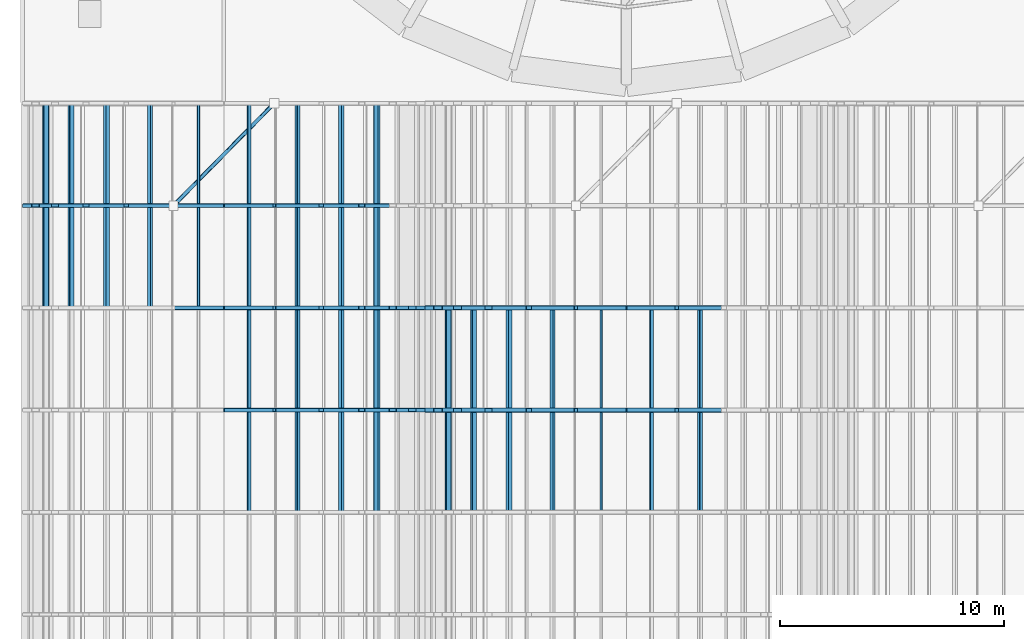
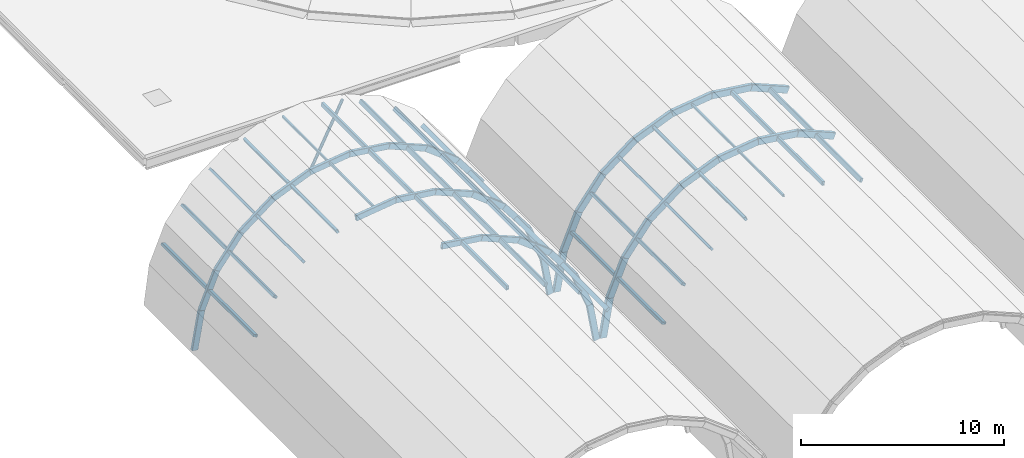
# One storey, part 3 of 25: 80 members.
"""IFC4 building model written with IfcOpenShell, lengths in metres."""

import ifcopenshell
import ifcopenshell.guid

model = None  # the IFC model being written
_history = None  # IfcOwnerHistory: only IFC2X3 demands one
_inside = {}  # id of a spatial element -> (the spatial element, [elements in it])
_under = {}  # id of a project, library or spatial element -> (it, [spatial elements below it])
_declared = {}  # id of a project -> (the project, [libraries it declares])
_typed = {}  # id of a type object -> (the type object, [elements of that type])
_made_of = {}  # id of a material, layer set ... -> (it, [elements and type objects made of it])


def new_model(schema):
    """Start an empty IFC model of exactly this schema.

    Asked for "IFC4X3", IfcOpenShell would pick the latest addendum, in which some entities
    have other attributes; the version numbers below select the first issue.
    IFC2X3 requires an IfcOwnerHistory on every rooted entity: one is made here for all.
    """
    global model, _history
    if schema == "IFC4X3":
        model = ifcopenshell.file(schema_version=(4, 3, 0, 0))
    else:
        model = ifcopenshell.file(schema=schema)
    _inside.clear()
    _under.clear()
    _declared.clear()
    _typed.clear()
    _made_of.clear()
    _history = None
    if model.schema == "IFC2X3":
        org = make("IfcOrganization", Name="unknown")
        user = make(
            "IfcPersonAndOrganization",
            ThePerson=make("IfcPerson", FamilyName="unknown"),
            TheOrganization=org,
        )
        app = make(
            "IfcApplication",
            ApplicationDeveloper=org,
            Version="unknown",
            ApplicationFullName="unknown",
            ApplicationIdentifier="unknown",
        )
        _history = make(
            "IfcOwnerHistory",
            OwningUser=user,
            OwningApplication=app,
            ChangeAction="ADDED",
            CreationDate=0,
        )
    return model


def make(cls, **values):
    """One entity of the class cls with the attributes given. An attribute that is None is left unset."""
    return model.create_entity(
        cls, **{name: value for name, value in values.items() if value is not None}
    )


def rooted(cls, **values):
    """An entity with a GlobalId (a new one), such as an element, a storey or a relation."""
    return make(cls, GlobalId=ifcopenshell.guid.new(), OwnerHistory=_history, **values)


def si_unit(unit_type, name, prefix=None):
    """IfcSIUnit, for example si_unit("LENGTHUNIT", "METRE", prefix="MILLI")."""
    return make("IfcSIUnit", UnitType=unit_type, Prefix=prefix, Name=name)


def assignment(units):
    """IfcUnitAssignment: the units of a project."""
    return None if units is None else make("IfcUnitAssignment", Units=units)


def point(xyz):
    """IfcCartesianPoint."""
    return None if xyz is None else make("IfcCartesianPoint", Coordinates=xyz)


def direction(xyz):
    """IfcDirection."""
    return None if xyz is None else make("IfcDirection", DirectionRatios=xyz)


def frame(location, z_axis=None, x_axis=None):
    """IfcAxis2Placement3D, a coordinate frame: its origin and axes. An axis left out is left unset."""
    return make(
        "IfcAxis2Placement3D",
        Location=point(location),
        Axis=direction(z_axis),
        RefDirection=direction(x_axis),
    )


def frame_2d(location, x_axis=None):
    """IfcAxis2Placement2D, a coordinate frame in the plane: its origin and x axis."""
    return make(
        "IfcAxis2Placement2D", Location=point(location), RefDirection=direction(x_axis)
    )


def origin():
    """The frame at (0, 0, 0) with its axes left unset."""
    return frame((0.0, 0.0, 0.0))


def origin_2d():
    """The frame at (0, 0) in the plane with its x axis left unset."""
    return frame_2d((0.0, 0.0))


def place(relative_to, where):
    """IfcLocalPlacement: puts the frame where relative to a parent placement (None: the world)."""
    return make(
        "IfcLocalPlacement", PlacementRelTo=relative_to, RelativePlacement=where
    )


def context(
    kind, dimensions, precision=None, world=None, true_north=None, identifier=None
):
    """IfcGeometricRepresentationContext, for example the 3D "Model" context."""
    return make(
        "IfcGeometricRepresentationContext",
        ContextIdentifier=identifier,
        ContextType=kind,
        CoordinateSpaceDimension=dimensions,
        Precision=precision,
        WorldCoordinateSystem=world,
        TrueNorth=true_north,
    )


def subcontext(parent, identifier, kind, view, scale=None):
    """IfcGeometricRepresentationSubContext, for example "Body" below "Model"."""
    return make(
        "IfcGeometricRepresentationSubContext",
        ContextIdentifier=identifier,
        ContextType=kind,
        ParentContext=parent,
        TargetScale=scale,
        TargetView=view,
    )


def project(units=None, contexts=None):
    """IfcProject with its units and contexts."""
    return rooted(
        "IfcProject",
        Name="project",
        RepresentationContexts=contexts,
        UnitsInContext=assignment(units),
    )


def spatial(cls, under=None, at=None, **own):
    """A site, building, storey or space (cls), placed at a placement, below another one or the project."""
    s = rooted(cls, ObjectPlacement=at, **own)
    if under is not None:
        _under.setdefault(under.id(), (under, []))[1].append(s)
    return s


def profile(cls, at=None, kind="AREA", **sizes):
    """A parametric profile (cls). Its sizes go by their IFC names, for example OverallWidth=200.0."""
    return make(cls, ProfileType=kind, Position=at, **sizes)


def hollow_rectangle(**sizes):
    """IfcRectangleHollowProfileDef."""
    return profile("IfcRectangleHollowProfileDef", **sizes)


def hollow_circle(**sizes):
    """IfcCircleHollowProfileDef."""
    return profile("IfcCircleHollowProfileDef", **sizes)


def extrude(swept, where, along, depth):
    """IfcExtrudedAreaSolid: the profile swept, set in the frame where, extruded along a direction by depth."""
    return make(
        "IfcExtrudedAreaSolid",
        SweptArea=swept,
        Position=where,
        ExtrudedDirection=direction(along),
        Depth=depth,
    )


def shape(context_of_items, identifier, shape_type, items):
    """IfcShapeRepresentation: the items that make up one representation, for example the "Body"."""
    return make(
        "IfcShapeRepresentation",
        ContextOfItems=context_of_items,
        RepresentationIdentifier=identifier,
        RepresentationType=shape_type,
        Items=items,
    )


def material(Name=None, Category=None):
    """IfcMaterial."""
    return make("IfcMaterial", Name=Name, Category=Category)


def material_profile(
    of_material, cross_section, Name=None, Category=None, Priority=None
):
    """IfcMaterialProfile: a cross section and its material."""
    return make(
        "IfcMaterialProfile",
        Name=Name,
        Material=of_material,
        Profile=cross_section,
        Priority=Priority,
        Category=Category,
    )


def profile_set(profiles, Name=None, composite=None):
    """IfcMaterialProfileSet."""
    return make(
        "IfcMaterialProfileSet",
        Name=Name,
        MaterialProfiles=profiles,
        CompositeProfile=composite,
    )


def made_of(thing, what):
    """Note that an element or type object is made of a material, layer set ...; save() writes the relation."""
    if what is not None:
        _made_of.setdefault(what.id(), (what, []))[1].append(thing)
    return thing


def type_object(cls, material=None, **own):
    """A type object (cls), such as IfcWallType, which elements share."""
    return made_of(rooted(cls, **own), material)


def element(
    cls,
    number,
    at=None,
    inside=None,
    cuts=None,
    type_object=None,
    material=None,
    context=None,
    identifier="Body",
    shape_type=None,
    held_by="IfcProductDefinitionShape",
    body=None,
    shapes=None,
    **own,
):
    """One element of the class cls, such as IfcWall. Its Tag is "e" and its number.

    at: its placement. inside: the storey or other place that contains it. cuts: it is an
    opening in that element (IfcRelVoidsElement). A single representation is given by context,
    identifier, shape_type and body (its items); several are given by shapes. held_by: the class
    of the entity that holds the representations. save() writes the other relations.
    """
    e = rooted(cls, Tag="e%d" % number, ObjectPlacement=at, **own)
    if body is not None:
        shapes = [shape(context, identifier, shape_type, body)]
    if shapes is not None:
        e.Representation = make(held_by, Representations=shapes)
    if inside is not None:
        _inside.setdefault(inside.id(), (inside, []))[1].append(e)
    if cuts is not None:
        rooted(
            "IfcRelVoidsElement", RelatingBuildingElement=cuts, RelatedOpeningElement=e
        )
    if type_object is not None:
        _typed.setdefault(type_object.id(), (type_object, []))[1].append(e)
    return made_of(e, material)


def aggregate(whole, parts):
    """IfcRelAggregates: a whole, such as a stair, and the parts it consists of."""
    return rooted("IfcRelAggregates", RelatingObject=whole, RelatedObjects=parts)


def save(model, path):
    """Write the relations noted so far, then the file.

    IfcRelAggregates (storeys below a building ...), IfcRelContainedInSpatialStructure (elements
    in a storey), IfcRelDefinesByType, IfcRelAssociatesMaterial and IfcRelDeclares: one each for
    every whole, place, type object, material and project.
    """
    for whole, parts in _under.values():
        aggregate(whole, parts)
    for where, things in _inside.values():
        rooted(
            "IfcRelContainedInSpatialStructure",
            RelatedElements=things,
            RelatingStructure=where,
        )
    for kind, things in _typed.values():
        rooted("IfcRelDefinesByType", RelatedObjects=things, RelatingType=kind)
    for what, things in _made_of.values():
        rooted("IfcRelAssociatesMaterial", RelatedObjects=things, RelatingMaterial=what)
    for by, libraries in _declared.values():
        rooted("IfcRelDeclares", RelatingContext=by, RelatedDefinitions=libraries)
    model.write(path)


model = new_model("IFC4")

# Units and contexts
model_context = context("Model", 3, precision=1e-05, world=origin(), true_north=direction((0.0, 1.0)))
body_context = subcontext(model_context, "Body", "Model", "MODEL_VIEW")
ifc_project = project(units=[si_unit("LENGTHUNIT", "METRE"), si_unit("AREAUNIT", "SQUARE_METRE"), si_unit("VOLUMEUNIT", "CUBIC_METRE"), si_unit("PLANEANGLEUNIT", "RADIAN"), si_unit("MASSUNIT", "GRAM", prefix="KILO")], contexts=[model_context])

# Site, building, storey
site_placement = place(None, origin())
site = spatial("IfcSite", under=ifc_project, at=site_placement, CompositionType="ELEMENT")
building_placement = place(site_placement, origin())
building = spatial("IfcBuilding", under=site, at=building_placement, Name="Marnock Terrace Opera House", CompositionType="ELEMENT")
storey_placement = place(building_placement, frame((0.0, 0.0, 28.199951171875)))
storey = spatial("IfcBuildingStorey", under=building, at=storey_placement, Name="RF", CompositionType="ELEMENT", Elevation=28.199951171875)

# Members
ifc_material = material(Name="Cold-formed Steel Grade C350L0 (AS/NZS 1163)", Category="steel")
ifc_material_profile_1 = material_profile(ifc_material, hollow_circle(Radius=0.084228515625, WallThickness=0.007080078125, at=origin_2d()))
ifc_profile_set_1 = profile_set([ifc_material_profile_1], Name="Cold-formed Steel Grade C350L0 (AS/NZS 1163)")
member_type_1 = type_object("IfcMemberType", Name="MEM-BRACE-CHS2", PredefinedType="BRACE", material=ifc_profile_set_1)
member_1_placement = place(storey_placement, frame((61.748291015625, 35.428466796875, -0.596435546875), z_axis=(0.701779574727, 0.712394152486, 0.0), x_axis=(-0.712394152486, 0.701779574727, 0.0)))
element("IfcMember", 1, at=member_1_placement, inside=storey, type_object=member_type_1, Name="Barrel vault 1 roof wind brace", PredefinedType="BRACE", context=body_context, shape_type="SweptSolid", body=[
    extrude(hollow_circle(Radius=0.084228515625, WallThickness=0.007080078125, at=origin_2d()), origin(), (0.0, 0.0, 1.0), 6.417236328125),
])
ifc_material_profile_2 = material_profile(ifc_material, hollow_rectangle(XDim=0.10009765625, YDim=0.14990234375, WallThickness=0.006103515625, InnerFilletRadius=0.006103515625, OuterFilletRadius=0.011962890625, at=origin_2d()))
ifc_profile_set_2 = profile_set([ifc_material_profile_2], Name="Cold-formed Steel Grade C350L0 (AS/NZS 1163)")
member_type_2 = type_object("IfcMemberType", Name="MEM-ROOF-GIRT", PredefinedType="PURLIN", material=ifc_profile_set_2)
member_2_placement = place(storey_placement, frame((62.8681640625, 30.857177734375, -0.402099609375), z_axis=(0.0, 1.0, 0.0), x_axis=(-0.991444861374, 0.0, -0.13052619222)))
element("IfcMember", 2, at=member_2_placement, inside=storey, type_object=member_type_2, Name="Barrel vault 1 bay 6 longitudinal purlin", PredefinedType="PURLIN", context=body_context, shape_type="SweptSolid", body=[
    extrude(hollow_rectangle(XDim=0.10009765625, YDim=0.14990234375, WallThickness=0.006103515625, InnerFilletRadius=0.006103515625, OuterFilletRadius=0.011962890625, at=origin_2d()), origin(), (0.0, 0.0, 1.0), 4.5712890625),
])
member_3_placement = place(storey_placement, frame((62.8681640625, 35.428466796875, -0.402099609375), z_axis=(0.0, 1.0, 0.0), x_axis=(-0.991444861374, 0.0, -0.13052619222)))
element("IfcMember", 3, at=member_3_placement, inside=storey, type_object=member_type_2, Name="Barrel vault 1 bay 7 longitudinal purlin", PredefinedType="PURLIN", context=body_context, shape_type="SweptSolid", body=[
    extrude(hollow_rectangle(XDim=0.10009765625, YDim=0.14990234375, WallThickness=0.006103515625, InnerFilletRadius=0.006103515625, OuterFilletRadius=0.011962890625, at=origin_2d()), origin(), (0.0, 0.0, 1.0), 4.571533203125),
])
member_4_placement = place(storey_placement, frame((80.8681640625, 21.71435546875, -0.402099609375), z_axis=(0.0, 1.0, 0.0), x_axis=(-0.991444861374, 0.0, -0.13052619222)))
element("IfcMember", 4, at=member_4_placement, inside=storey, type_object=member_type_2, Name="Barrel vault 2 bay 4 longitudinal purlin", PredefinedType="PURLIN", context=body_context, shape_type="SweptSolid", body=[
    extrude(hollow_rectangle(XDim=0.10009765625, YDim=0.14990234375, WallThickness=0.006103515625, InnerFilletRadius=0.006103515625, OuterFilletRadius=0.011962890625, at=origin_2d()), origin(), (0.0, 0.0, 1.0), 4.5712890625),
])
member_5_placement = place(storey_placement, frame((80.8681640625, 26.28564453125, -0.402099609375), z_axis=(0.0, 1.0, 0.0), x_axis=(-0.991444861374, 0.0, -0.13052619222)))
element("IfcMember", 5, at=member_5_placement, inside=storey, type_object=member_type_2, Name="Barrel vault 2 bay 5 longitudinal purlin", PredefinedType="PURLIN", context=body_context, shape_type="SweptSolid", body=[
    extrude(hollow_rectangle(XDim=0.10009765625, YDim=0.14990234375, WallThickness=0.006103515625, InnerFilletRadius=0.006103515625, OuterFilletRadius=0.011962890625, at=origin_2d()), origin(), (0.0, 0.0, 1.0), 4.571533203125),
])
ifc_material_profile_3 = material_profile(ifc_material, hollow_rectangle(XDim=0.199951171875, YDim=0.39990234375, WallThickness=0.012451171875, InnerFilletRadius=0.012451171875, OuterFilletRadius=0.02490234375, at=origin_2d()))
ifc_profile_set_3 = profile_set([ifc_material_profile_3], Name="Cold-formed Steel Grade C350L0 (AS/NZS 1163)")
member_type_3 = type_object("IfcMemberType", Name="MEM-VAULT-ARCH1", PredefinedType="CHORD", material=ifc_profile_set_3)
member_6_placement = place(storey_placement, frame((73.179931640625, 26.28564453125, -9.0), z_axis=(0.173341635248, 0.0, 0.984861755522), x_axis=(0.0, 1.0, 0.0)))
element("IfcMember", 6, at=member_6_placement, inside=storey, type_object=member_type_3, Name="Barrel vault 2 station 5 arch chord 1", PredefinedType="CHORD", context=body_context, shape_type="SweptSolid", body=[
    extrude(hollow_rectangle(XDim=0.199951171875, YDim=0.39990234375, WallThickness=0.012451171875, InnerFilletRadius=0.012451171875, OuterFilletRadius=0.02490234375, at=origin_2d()), origin(), (0.0, 0.0, 1.0), 2.29150390625),
])
member_7_placement = place(storey_placement, frame((73.5771484375, 26.28564453125, -6.7431640625), z_axis=(0.382642254796, 0.0, 0.923896587744), x_axis=(0.0, 1.0, 0.0)))
element("IfcMember", 7, at=member_7_placement, inside=storey, type_object=member_type_3, Name="Barrel vault 2 station 5 arch chord 2", PredefinedType="CHORD", context=body_context, shape_type="SweptSolid", body=[
    extrude(hollow_rectangle(XDim=0.199951171875, YDim=0.39990234375, WallThickness=0.012451171875, InnerFilletRadius=0.012451171875, OuterFilletRadius=0.02490234375, at=origin_2d()), origin(), (0.0, 0.0, 1.0), 2.276611328125),
])
for number, where, z_axis, x_axis, name in (
    (8, (74.4482421875, 26.28564453125, -4.639892578125), (0.608766982702, 0.0, 0.793349078761), (0.0, 1.0, 0.0), "Barrel vault 2 station 5 arch chord 3"),
    (9, (75.833984375, 26.28564453125, -2.833984375), (0.793349078761, 0.0, 0.608766982702), (0.0, 1.0, 0.0), "Barrel vault 2 station 5 arch chord 4"),
):
    element("IfcMember", number, at=place(storey_placement, frame(where, z_axis=z_axis, x_axis=x_axis)), inside=storey, type_object=member_type_3, Name=name, PredefinedType="CHORD", context=body_context, shape_type="SweptSolid", body=[
        extrude(hollow_rectangle(XDim=0.199951171875, YDim=0.39990234375, WallThickness=0.012451171875, InnerFilletRadius=0.012451171875, OuterFilletRadius=0.02490234375, at=origin_2d()), origin(), (0.0, 0.0, 1.0), 2.2763671875),
    ])
member_8_placement = place(storey_placement, frame((77.639892578125, 26.28564453125, -1.4482421875), z_axis=(0.923896587744, 0.0, 0.382642254796), x_axis=(0.0, 1.0, 0.0)))
element("IfcMember", 10, at=member_8_placement, inside=storey, type_object=member_type_3, Name="Barrel vault 2 station 5 arch chord 5", PredefinedType="CHORD", context=body_context, shape_type="SweptSolid", body=[
    extrude(hollow_rectangle(XDim=0.199951171875, YDim=0.39990234375, WallThickness=0.012451171875, InnerFilletRadius=0.012451171875, OuterFilletRadius=0.02490234375, at=origin_2d()), origin(), (0.0, 0.0, 1.0), 2.276611328125),
])
for number, where, z_axis, x_axis, name in (
    (11, (79.7431640625, 26.28564453125, -0.5771484375), (0.991444801521, 0.0, 0.130526646847), (0.0, 1.0, 0.0), "Barrel vault 2 station 5 arch chord 6"),
    (12, (82.0, 26.28564453125, -0.280029296875), (0.991444801521, 0.0, -0.130526646847), (0.0, 1.0, 0.0), "Barrel vault 2 station 5 arch chord 7"),
):
    element("IfcMember", number, at=place(storey_placement, frame(where, z_axis=z_axis, x_axis=x_axis)), inside=storey, type_object=member_type_3, Name=name, PredefinedType="CHORD", context=body_context, shape_type="SweptSolid", body=[
        extrude(hollow_rectangle(XDim=0.199951171875, YDim=0.39990234375, WallThickness=0.012451171875, InnerFilletRadius=0.012451171875, OuterFilletRadius=0.02490234375, at=origin_2d()), origin(), (0.0, 0.0, 1.0), 2.2763671875),
    ])
member_9_placement = place(storey_placement, frame((84.2568359375, 26.28564453125, -0.5771484375), z_axis=(0.923896587744, 0.0, -0.382642254796), x_axis=(0.0, 1.0, 0.0)))
element("IfcMember", 13, at=member_9_placement, inside=storey, type_object=member_type_3, Name="Barrel vault 2 station 5 arch chord 8", PredefinedType="CHORD", context=body_context, shape_type="SweptSolid", body=[
    extrude(hollow_rectangle(XDim=0.199951171875, YDim=0.39990234375, WallThickness=0.012451171875, InnerFilletRadius=0.012451171875, OuterFilletRadius=0.02490234375, at=origin_2d()), origin(), (0.0, 0.0, 1.0), 2.276611328125),
])
member_10_placement = place(storey_placement, frame((73.179931640625, 30.857177734375, -9.0), z_axis=(0.173341635248, 0.0, 0.984861755522), x_axis=(0.0, 1.0, 0.0)))
element("IfcMember", 14, at=member_10_placement, inside=storey, type_object=member_type_3, Name="Barrel vault 2 station 6 arch chord 1", PredefinedType="CHORD", context=body_context, shape_type="SweptSolid", body=[
    extrude(hollow_rectangle(XDim=0.199951171875, YDim=0.39990234375, WallThickness=0.012451171875, InnerFilletRadius=0.012451171875, OuterFilletRadius=0.02490234375, at=origin_2d()), origin(), (0.0, 0.0, 1.0), 2.29150390625),
])
member_11_placement = place(storey_placement, frame((73.5771484375, 30.857177734375, -6.7431640625), z_axis=(0.382642254796, 0.0, 0.923896587744), x_axis=(0.0, 1.0, 0.0)))
element("IfcMember", 15, at=member_11_placement, inside=storey, type_object=member_type_3, Name="Barrel vault 2 station 6 arch chord 2", PredefinedType="CHORD", context=body_context, shape_type="SweptSolid", body=[
    extrude(hollow_rectangle(XDim=0.199951171875, YDim=0.39990234375, WallThickness=0.012451171875, InnerFilletRadius=0.012451171875, OuterFilletRadius=0.02490234375, at=origin_2d()), origin(), (0.0, 0.0, 1.0), 2.276611328125),
])
for number, where, z_axis, x_axis, name in (
    (16, (74.4482421875, 30.857177734375, -4.639892578125), (0.608766982702, 0.0, 0.793349078761), (0.0, 1.0, 0.0), "Barrel vault 2 station 6 arch chord 3"),
    (17, (75.833984375, 30.857177734375, -2.833984375), (0.793349078761, 0.0, 0.608766982702), (0.0, 1.0, 0.0), "Barrel vault 2 station 6 arch chord 4"),
):
    element("IfcMember", number, at=place(storey_placement, frame(where, z_axis=z_axis, x_axis=x_axis)), inside=storey, type_object=member_type_3, Name=name, PredefinedType="CHORD", context=body_context, shape_type="SweptSolid", body=[
        extrude(hollow_rectangle(XDim=0.199951171875, YDim=0.39990234375, WallThickness=0.012451171875, InnerFilletRadius=0.012451171875, OuterFilletRadius=0.02490234375, at=origin_2d()), origin(), (0.0, 0.0, 1.0), 2.2763671875),
    ])
member_12_placement = place(storey_placement, frame((77.639892578125, 30.857177734375, -1.4482421875), z_axis=(0.923896587744, 0.0, 0.382642254796), x_axis=(0.0, 1.0, 0.0)))
element("IfcMember", 18, at=member_12_placement, inside=storey, type_object=member_type_3, Name="Barrel vault 2 station 6 arch chord 5", PredefinedType="CHORD", context=body_context, shape_type="SweptSolid", body=[
    extrude(hollow_rectangle(XDim=0.199951171875, YDim=0.39990234375, WallThickness=0.012451171875, InnerFilletRadius=0.012451171875, OuterFilletRadius=0.02490234375, at=origin_2d()), origin(), (0.0, 0.0, 1.0), 2.276611328125),
])
for number, where, z_axis, x_axis, name in (
    (19, (79.7431640625, 30.857177734375, -0.5771484375), (0.991444801521, 0.0, 0.130526646847), (0.0, 1.0, 0.0), "Barrel vault 2 station 6 arch chord 6"),
    (20, (82.0, 30.857177734375, -0.280029296875), (0.991444801521, 0.0, -0.130526646847), (0.0, 1.0, 0.0), "Barrel vault 2 station 6 arch chord 7"),
):
    element("IfcMember", number, at=place(storey_placement, frame(where, z_axis=z_axis, x_axis=x_axis)), inside=storey, type_object=member_type_3, Name=name, PredefinedType="CHORD", context=body_context, shape_type="SweptSolid", body=[
        extrude(hollow_rectangle(XDim=0.199951171875, YDim=0.39990234375, WallThickness=0.012451171875, InnerFilletRadius=0.012451171875, OuterFilletRadius=0.02490234375, at=origin_2d()), origin(), (0.0, 0.0, 1.0), 2.2763671875),
    ])
member_13_placement = place(storey_placement, frame((84.2568359375, 30.857177734375, -0.5771484375), z_axis=(0.923896587744, 0.0, -0.382642254796), x_axis=(0.0, 1.0, 0.0)))
element("IfcMember", 21, at=member_13_placement, inside=storey, type_object=member_type_3, Name="Barrel vault 2 station 6 arch chord 8", PredefinedType="CHORD", context=body_context, shape_type="SweptSolid", body=[
    extrude(hollow_rectangle(XDim=0.199951171875, YDim=0.39990234375, WallThickness=0.012451171875, InnerFilletRadius=0.012451171875, OuterFilletRadius=0.02490234375, at=origin_2d()), origin(), (0.0, 0.0, 1.0), 2.276611328125),
])
ifc_material_profile_4 = material_profile(ifc_material, hollow_rectangle(XDim=0.175048828125, YDim=0.35009765625, WallThickness=0.010009765625, InnerFilletRadius=0.010009765625, OuterFilletRadius=0.02001953125, at=origin_2d()))
ifc_profile_set_4 = profile_set([ifc_material_profile_4], Name="Cold-formed Steel Grade C350L0 (AS/NZS 1163)")
member_type_4 = type_object("IfcMemberType", Name="MEM-VAULT-ARCH2", PredefinedType="CHORD", material=ifc_profile_set_4)
member_14_placement = place(storey_placement, frame((64.0, 26.28564453125, -0.280029296875), z_axis=(0.991444801521, 0.0, -0.130526646847), x_axis=(0.0, 1.0, 0.0)))
element("IfcMember", 22, at=member_14_placement, inside=storey, type_object=member_type_4, Name="Barrel vault 1 station 5 arch chord 7", PredefinedType="CHORD", context=body_context, shape_type="SweptSolid", body=[
    extrude(hollow_rectangle(XDim=0.175048828125, YDim=0.35009765625, WallThickness=0.010009765625, InnerFilletRadius=0.010009765625, OuterFilletRadius=0.02001953125, at=origin_2d()), origin(), (0.0, 0.0, 1.0), 2.2763671875),
])
member_15_placement = place(storey_placement, frame((66.2568359375, 26.28564453125, -0.5771484375), z_axis=(0.923896587744, 0.0, -0.382642254796), x_axis=(0.0, 1.0, 0.0)))
element("IfcMember", 23, at=member_15_placement, inside=storey, type_object=member_type_4, Name="Barrel vault 1 station 5 arch chord 8", PredefinedType="CHORD", context=body_context, shape_type="SweptSolid", body=[
    extrude(hollow_rectangle(XDim=0.175048828125, YDim=0.35009765625, WallThickness=0.010009765625, InnerFilletRadius=0.010009765625, OuterFilletRadius=0.02001953125, at=origin_2d()), origin(), (0.0, 0.0, 1.0), 2.276611328125),
])
for number, where, z_axis, x_axis, name in (
    (24, (68.360107421875, 26.28564453125, -1.4482421875), (0.793349078761, 0.0, -0.608766982702), (0.0, 1.0, 0.0), "Barrel vault 1 station 5 arch chord 9"),
    (25, (70.166015625, 26.28564453125, -2.833984375), (0.608766982702, 0.0, -0.793349078761), (0.0, 1.0, 0.0), "Barrel vault 1 station 5 arch chord 10"),
):
    element("IfcMember", number, at=place(storey_placement, frame(where, z_axis=z_axis, x_axis=x_axis)), inside=storey, type_object=member_type_4, Name=name, PredefinedType="CHORD", context=body_context, shape_type="SweptSolid", body=[
        extrude(hollow_rectangle(XDim=0.175048828125, YDim=0.35009765625, WallThickness=0.010009765625, InnerFilletRadius=0.010009765625, OuterFilletRadius=0.02001953125, at=origin_2d()), origin(), (0.0, 0.0, 1.0), 2.2763671875),
    ])
member_16_placement = place(storey_placement, frame((71.5517578125, 26.28564453125, -4.639892578125), z_axis=(0.382642254796, 0.0, -0.923896587744), x_axis=(0.0, 1.0, 0.0)))
element("IfcMember", 26, at=member_16_placement, inside=storey, type_object=member_type_4, Name="Barrel vault 1 station 5 arch chord 11", PredefinedType="CHORD", context=body_context, shape_type="SweptSolid", body=[
    extrude(hollow_rectangle(XDim=0.175048828125, YDim=0.35009765625, WallThickness=0.010009765625, InnerFilletRadius=0.010009765625, OuterFilletRadius=0.02001953125, at=origin_2d()), origin(), (0.0, 0.0, 1.0), 2.276611328125),
])
member_17_placement = place(storey_placement, frame((72.4228515625, 26.28564453125, -6.7431640625), z_axis=(0.173341635248, 0.0, -0.984861755522), x_axis=(0.0, 1.0, 0.0)))
element("IfcMember", 27, at=member_17_placement, inside=storey, type_object=member_type_4, Name="Barrel vault 1 station 5 arch chord 12", PredefinedType="CHORD", context=body_context, shape_type="SweptSolid", body=[
    extrude(hollow_rectangle(XDim=0.175048828125, YDim=0.35009765625, WallThickness=0.010009765625, InnerFilletRadius=0.010009765625, OuterFilletRadius=0.02001953125, at=origin_2d()), origin(), (0.0, 0.0, 1.0), 2.29150390625),
])
for number, where, z_axis, x_axis, name in (
    (28, (61.7431640625, 30.857177734375, -0.5771484375), (0.991444801521, 0.0, 0.130526646847), (0.0, 1.0, 0.0), "Barrel vault 1 station 6 arch chord 6"),
    (29, (64.0, 30.857177734375, -0.280029296875), (0.991444801521, 0.0, -0.130526646847), (0.0, 1.0, 0.0), "Barrel vault 1 station 6 arch chord 7"),
):
    element("IfcMember", number, at=place(storey_placement, frame(where, z_axis=z_axis, x_axis=x_axis)), inside=storey, type_object=member_type_4, Name=name, PredefinedType="CHORD", context=body_context, shape_type="SweptSolid", body=[
        extrude(hollow_rectangle(XDim=0.175048828125, YDim=0.35009765625, WallThickness=0.010009765625, InnerFilletRadius=0.010009765625, OuterFilletRadius=0.02001953125, at=origin_2d()), origin(), (0.0, 0.0, 1.0), 2.2763671875),
    ])
member_18_placement = place(storey_placement, frame((66.2568359375, 30.857177734375, -0.5771484375), z_axis=(0.923896587744, 0.0, -0.382642254796), x_axis=(0.0, 1.0, 0.0)))
element("IfcMember", 30, at=member_18_placement, inside=storey, type_object=member_type_4, Name="Barrel vault 1 station 6 arch chord 8", PredefinedType="CHORD", context=body_context, shape_type="SweptSolid", body=[
    extrude(hollow_rectangle(XDim=0.175048828125, YDim=0.35009765625, WallThickness=0.010009765625, InnerFilletRadius=0.010009765625, OuterFilletRadius=0.02001953125, at=origin_2d()), origin(), (0.0, 0.0, 1.0), 2.276611328125),
])
for number, where, z_axis, x_axis, name in (
    (31, (68.360107421875, 30.857177734375, -1.4482421875), (0.793349078761, 0.0, -0.608766982702), (0.0, 1.0, 0.0), "Barrel vault 1 station 6 arch chord 9"),
    (32, (70.166015625, 30.857177734375, -2.833984375), (0.608766982702, 0.0, -0.793349078761), (0.0, 1.0, 0.0), "Barrel vault 1 station 6 arch chord 10"),
):
    element("IfcMember", number, at=place(storey_placement, frame(where, z_axis=z_axis, x_axis=x_axis)), inside=storey, type_object=member_type_4, Name=name, PredefinedType="CHORD", context=body_context, shape_type="SweptSolid", body=[
        extrude(hollow_rectangle(XDim=0.175048828125, YDim=0.35009765625, WallThickness=0.010009765625, InnerFilletRadius=0.010009765625, OuterFilletRadius=0.02001953125, at=origin_2d()), origin(), (0.0, 0.0, 1.0), 2.2763671875),
    ])
member_19_placement = place(storey_placement, frame((71.5517578125, 30.857177734375, -4.639892578125), z_axis=(0.382642254796, 0.0, -0.923896587744), x_axis=(0.0, 1.0, 0.0)))
element("IfcMember", 33, at=member_19_placement, inside=storey, type_object=member_type_4, Name="Barrel vault 1 station 6 arch chord 11", PredefinedType="CHORD", context=body_context, shape_type="SweptSolid", body=[
    extrude(hollow_rectangle(XDim=0.175048828125, YDim=0.35009765625, WallThickness=0.010009765625, InnerFilletRadius=0.010009765625, OuterFilletRadius=0.02001953125, at=origin_2d()), origin(), (0.0, 0.0, 1.0), 2.276611328125),
])
for number, where, z_axis, x_axis, name in (
    (34, (72.4228515625, 30.857177734375, -6.7431640625), (0.173341635248, 0.0, -0.984861755522), (0.0, 1.0, 0.0), "Barrel vault 1 station 6 arch chord 12"),
    (35, (55.179931640625, 35.428466796875, -9.0), (0.173341635248, 0.0, 0.984861755522), (0.0, 1.0, 0.0), "Barrel vault 1 station 7 arch chord 1"),
):
    element("IfcMember", number, at=place(storey_placement, frame(where, z_axis=z_axis, x_axis=x_axis)), inside=storey, type_object=member_type_4, Name=name, PredefinedType="CHORD", context=body_context, shape_type="SweptSolid", body=[
        extrude(hollow_rectangle(XDim=0.175048828125, YDim=0.35009765625, WallThickness=0.010009765625, InnerFilletRadius=0.010009765625, OuterFilletRadius=0.02001953125, at=origin_2d()), origin(), (0.0, 0.0, 1.0), 2.29150390625),
    ])
member_20_placement = place(storey_placement, frame((55.5771484375, 35.428466796875, -6.7431640625), z_axis=(0.382642254796, 0.0, 0.923896587744), x_axis=(0.0, 1.0, 0.0)))
element("IfcMember", 36, at=member_20_placement, inside=storey, type_object=member_type_4, Name="Barrel vault 1 station 7 arch chord 2", PredefinedType="CHORD", context=body_context, shape_type="SweptSolid", body=[
    extrude(hollow_rectangle(XDim=0.175048828125, YDim=0.35009765625, WallThickness=0.010009765625, InnerFilletRadius=0.010009765625, OuterFilletRadius=0.02001953125, at=origin_2d()), origin(), (0.0, 0.0, 1.0), 2.276611328125),
])
for number, where, z_axis, x_axis, name in (
    (37, (56.4482421875, 35.428466796875, -4.639892578125), (0.608766982702, 0.0, 0.793349078761), (0.0, 1.0, 0.0), "Barrel vault 1 station 7 arch chord 3"),
    (38, (57.833984375, 35.428466796875, -2.833984375), (0.793349078761, 0.0, 0.608766982702), (0.0, 1.0, 0.0), "Barrel vault 1 station 7 arch chord 4"),
):
    element("IfcMember", number, at=place(storey_placement, frame(where, z_axis=z_axis, x_axis=x_axis)), inside=storey, type_object=member_type_4, Name=name, PredefinedType="CHORD", context=body_context, shape_type="SweptSolid", body=[
        extrude(hollow_rectangle(XDim=0.175048828125, YDim=0.35009765625, WallThickness=0.010009765625, InnerFilletRadius=0.010009765625, OuterFilletRadius=0.02001953125, at=origin_2d()), origin(), (0.0, 0.0, 1.0), 2.2763671875),
    ])
member_21_placement = place(storey_placement, frame((59.639892578125, 35.428466796875, -1.4482421875), z_axis=(0.923896587744, 0.0, 0.382642254796), x_axis=(0.0, 1.0, 0.0)))
element("IfcMember", 39, at=member_21_placement, inside=storey, type_object=member_type_4, Name="Barrel vault 1 station 7 arch chord 5", PredefinedType="CHORD", context=body_context, shape_type="SweptSolid", body=[
    extrude(hollow_rectangle(XDim=0.175048828125, YDim=0.35009765625, WallThickness=0.010009765625, InnerFilletRadius=0.010009765625, OuterFilletRadius=0.02001953125, at=origin_2d()), origin(), (0.0, 0.0, 1.0), 2.276611328125),
])
for number, where, z_axis, x_axis, name in (
    (40, (61.7431640625, 35.428466796875, -0.5771484375), (0.991444801521, 0.0, 0.130526646847), (0.0, 1.0, 0.0), "Barrel vault 1 station 7 arch chord 6"),
    (41, (64.0, 35.428466796875, -0.280029296875), (0.991444801521, 0.0, -0.130526646847), (0.0, 1.0, 0.0), "Barrel vault 1 station 7 arch chord 7"),
):
    element("IfcMember", number, at=place(storey_placement, frame(where, z_axis=z_axis, x_axis=x_axis)), inside=storey, type_object=member_type_4, Name=name, PredefinedType="CHORD", context=body_context, shape_type="SweptSolid", body=[
        extrude(hollow_rectangle(XDim=0.175048828125, YDim=0.35009765625, WallThickness=0.010009765625, InnerFilletRadius=0.010009765625, OuterFilletRadius=0.02001953125, at=origin_2d()), origin(), (0.0, 0.0, 1.0), 2.2763671875),
    ])
member_22_placement = place(storey_placement, frame((66.2568359375, 35.428466796875, -0.5771484375), z_axis=(0.923896587744, 0.0, -0.382642254796), x_axis=(0.0, 1.0, 0.0)))
element("IfcMember", 42, at=member_22_placement, inside=storey, type_object=member_type_4, Name="Barrel vault 1 station 7 arch chord 8", PredefinedType="CHORD", context=body_context, shape_type="SweptSolid", body=[
    extrude(hollow_rectangle(XDim=0.175048828125, YDim=0.35009765625, WallThickness=0.010009765625, InnerFilletRadius=0.010009765625, OuterFilletRadius=0.02001953125, at=origin_2d()), origin(), (0.0, 0.0, 1.0), 2.276611328125),
])
for number, where, z_axis, x_axis, name in (
    (43, (68.360107421875, 35.428466796875, -1.4482421875), (0.793349078761, 0.0, -0.608766982702), (0.0, 1.0, 0.0), "Barrel vault 1 station 7 arch chord 9"),
    (44, (70.166015625, 35.428466796875, -2.833984375), (0.608766982702, 0.0, -0.793349078761), (0.0, 1.0, 0.0), "Barrel vault 1 station 7 arch chord 10"),
):
    element("IfcMember", number, at=place(storey_placement, frame(where, z_axis=z_axis, x_axis=x_axis)), inside=storey, type_object=member_type_4, Name=name, PredefinedType="CHORD", context=body_context, shape_type="SweptSolid", body=[
        extrude(hollow_rectangle(XDim=0.175048828125, YDim=0.35009765625, WallThickness=0.010009765625, InnerFilletRadius=0.010009765625, OuterFilletRadius=0.02001953125, at=origin_2d()), origin(), (0.0, 0.0, 1.0), 2.2763671875),
    ])
ifc_material_profile_5 = material_profile(ifc_material, hollow_rectangle(XDim=0.14990234375, YDim=0.25, WallThickness=0.009033203125, InnerFilletRadius=0.009033203125, OuterFilletRadius=0.01806640625, at=origin_2d()))
ifc_profile_set_5 = profile_set([ifc_material_profile_5], Name="Cold-formed Steel Grade C350L0 (AS/NZS 1163)")
member_type_5 = type_object("IfcMemberType", Name="MEM-VAULT-PURL", PredefinedType="PURLIN", material=ifc_profile_set_5)
for number, where, z_axis, x_axis, name in (
    (45, (65.12548828125, 21.71435546875, -0.45166015625), (0.0, 1.0, 0.0), (-0.991444861374, 0.0, 0.13052619222), "Barrel vault 1 bay 4 longitudinal purlin"),
    (46, (67.299560546875, 21.71435546875, -1.0341796875), (0.0, 1.0, 0.0), (-0.923879532511, 0.0, 0.382683432365), "Barrel vault 1 bay 4 longitudinal purlin"),
    (47, (69.248779296875, 21.71435546875, -2.15966796875), (0.0, 1.0, 0.0), (-0.793353340291, 0.0, 0.608761429009), "Barrel vault 1 bay 4 longitudinal purlin"),
    (48, (70.84033203125, 21.71435546875, -3.751220703125), (0.0, 1.0, 0.0), (-0.608761429009, 0.0, 0.793353340291), "Barrel vault 1 bay 4 longitudinal purlin"),
):
    element("IfcMember", number, at=place(storey_placement, frame(where, z_axis=z_axis, x_axis=x_axis)), inside=storey, type_object=member_type_5, Name=name, PredefinedType="PURLIN", context=body_context, shape_type="SweptSolid", body=[
        extrude(hollow_rectangle(XDim=0.14990234375, YDim=0.25, WallThickness=0.009033203125, InnerFilletRadius=0.009033203125, OuterFilletRadius=0.01806640625, at=origin_2d()), origin(), (0.0, 0.0, 1.0), 4.5712890625),
    ])
for number, where, z_axis, x_axis, name in (
    (49, (65.12548828125, 26.28564453125, -0.45166015625), (0.0, 1.0, 0.0), (-0.991444861374, 0.0, 0.13052619222), "Barrel vault 1 bay 5 longitudinal purlin"),
    (50, (67.299560546875, 26.28564453125, -1.0341796875), (0.0, 1.0, 0.0), (-0.923879532511, 0.0, 0.382683432365), "Barrel vault 1 bay 5 longitudinal purlin"),
    (51, (69.248779296875, 26.28564453125, -2.15966796875), (0.0, 1.0, 0.0), (-0.793353340291, 0.0, 0.608761429009), "Barrel vault 1 bay 5 longitudinal purlin"),
    (52, (70.84033203125, 26.28564453125, -3.751220703125), (0.0, 1.0, 0.0), (-0.608761429009, 0.0, 0.793353340291), "Barrel vault 1 bay 5 longitudinal purlin"),
):
    element("IfcMember", number, at=place(storey_placement, frame(where, z_axis=z_axis, x_axis=x_axis)), inside=storey, type_object=member_type_5, Name=name, PredefinedType="PURLIN", context=body_context, shape_type="SweptSolid", body=[
        extrude(hollow_rectangle(XDim=0.14990234375, YDim=0.25, WallThickness=0.009033203125, InnerFilletRadius=0.009033203125, OuterFilletRadius=0.01806640625, at=origin_2d()), origin(), (0.0, 0.0, 1.0), 4.571533203125),
    ])
for number, where, z_axis, x_axis, name in (
    (53, (56.034423828125, 30.857177734375, -5.700439453125), (0.0, 1.0, 0.0), (-0.382683432365, 0.0, -0.923879532511), "Barrel vault 1 bay 6 longitudinal purlin"),
    (54, (57.15966796875, 30.857177734375, -3.751220703125), (0.0, 1.0, 0.0), (-0.608761429009, 0.0, -0.793353340291), "Barrel vault 1 bay 6 longitudinal purlin"),
    (55, (58.751220703125, 30.857177734375, -2.15966796875), (0.0, 1.0, 0.0), (-0.793353340291, 0.0, -0.608761429009), "Barrel vault 1 bay 6 longitudinal purlin"),
    (56, (60.700439453125, 30.857177734375, -1.0341796875), (0.0, 1.0, 0.0), (-0.923879532511, 0.0, -0.382683432365), "Barrel vault 1 bay 6 longitudinal purlin"),
    (57, (65.12548828125, 30.857177734375, -0.45166015625), (0.0, 1.0, 0.0), (-0.991444861374, 0.0, 0.13052619222), "Barrel vault 1 bay 6 longitudinal purlin"),
    (58, (67.299560546875, 30.857177734375, -1.0341796875), (0.0, 1.0, 0.0), (-0.923879532511, 0.0, 0.382683432365), "Barrel vault 1 bay 6 longitudinal purlin"),
    (59, (69.248779296875, 30.857177734375, -2.15966796875), (0.0, 1.0, 0.0), (-0.793353340291, 0.0, 0.608761429009), "Barrel vault 1 bay 6 longitudinal purlin"),
    (60, (70.84033203125, 30.857177734375, -3.751220703125), (0.0, 1.0, 0.0), (-0.608761429009, 0.0, 0.793353340291), "Barrel vault 1 bay 6 longitudinal purlin"),
):
    element("IfcMember", number, at=place(storey_placement, frame(where, z_axis=z_axis, x_axis=x_axis)), inside=storey, type_object=member_type_5, Name=name, PredefinedType="PURLIN", context=body_context, shape_type="SweptSolid", body=[
        extrude(hollow_rectangle(XDim=0.14990234375, YDim=0.25, WallThickness=0.009033203125, InnerFilletRadius=0.009033203125, OuterFilletRadius=0.01806640625, at=origin_2d()), origin(), (0.0, 0.0, 1.0), 4.5712890625),
    ])
for number, where, z_axis, x_axis, name in (
    (61, (56.034423828125, 35.428466796875, -5.700439453125), (0.0, 1.0, 0.0), (-0.382683432365, 0.0, -0.923879532511), "Barrel vault 1 bay 7 longitudinal purlin"),
    (62, (57.15966796875, 35.428466796875, -3.751220703125), (0.0, 1.0, 0.0), (-0.608761429009, 0.0, -0.793353340291), "Barrel vault 1 bay 7 longitudinal purlin"),
    (63, (58.751220703125, 35.428466796875, -2.15966796875), (0.0, 1.0, 0.0), (-0.793353340291, 0.0, -0.608761429009), "Barrel vault 1 bay 7 longitudinal purlin"),
    (64, (60.700439453125, 35.428466796875, -1.0341796875), (0.0, 1.0, 0.0), (-0.923879532511, 0.0, -0.382683432365), "Barrel vault 1 bay 7 longitudinal purlin"),
    (65, (65.12548828125, 35.428466796875, -0.45166015625), (0.0, 1.0, 0.0), (-0.991444861374, 0.0, 0.13052619222), "Barrel vault 1 bay 7 longitudinal purlin"),
    (66, (67.299560546875, 35.428466796875, -1.0341796875), (0.0, 1.0, 0.0), (-0.923879532511, 0.0, 0.382683432365), "Barrel vault 1 bay 7 longitudinal purlin"),
    (67, (69.248779296875, 35.428466796875, -2.15966796875), (0.0, 1.0, 0.0), (-0.793353340291, 0.0, 0.608761429009), "Barrel vault 1 bay 7 longitudinal purlin"),
    (68, (70.84033203125, 35.428466796875, -3.751220703125), (0.0, 1.0, 0.0), (-0.608761429009, 0.0, 0.793353340291), "Barrel vault 1 bay 7 longitudinal purlin"),
):
    element("IfcMember", number, at=place(storey_placement, frame(where, z_axis=z_axis, x_axis=x_axis)), inside=storey, type_object=member_type_5, Name=name, PredefinedType="PURLIN", context=body_context, shape_type="SweptSolid", body=[
        extrude(hollow_rectangle(XDim=0.14990234375, YDim=0.25, WallThickness=0.009033203125, InnerFilletRadius=0.009033203125, OuterFilletRadius=0.01806640625, at=origin_2d()), origin(), (0.0, 0.0, 1.0), 4.571533203125),
    ])
for number, where, z_axis, x_axis, name in (
    (69, (74.034423828125, 21.71435546875, -5.700439453125), (0.0, 1.0, 0.0), (-0.382683432365, 0.0, -0.923879532511), "Barrel vault 2 bay 4 longitudinal purlin"),
    (70, (75.15966796875, 21.71435546875, -3.751220703125), (0.0, 1.0, 0.0), (-0.608761429009, 0.0, -0.793353340291), "Barrel vault 2 bay 4 longitudinal purlin"),
    (71, (76.751220703125, 21.71435546875, -2.15966796875), (0.0, 1.0, 0.0), (-0.793353340291, 0.0, -0.608761429009), "Barrel vault 2 bay 4 longitudinal purlin"),
    (72, (78.700439453125, 21.71435546875, -1.0341796875), (0.0, 1.0, 0.0), (-0.923879532511, 0.0, -0.382683432365), "Barrel vault 2 bay 4 longitudinal purlin"),
    (73, (83.12548828125, 21.71435546875, -0.45166015625), (0.0, 1.0, 0.0), (-0.991444861374, 0.0, 0.13052619222), "Barrel vault 2 bay 4 longitudinal purlin"),
    (74, (85.299560546875, 21.71435546875, -1.0341796875), (0.0, 1.0, 0.0), (-0.923879532511, 0.0, 0.382683432365), "Barrel vault 2 bay 4 longitudinal purlin"),
):
    element("IfcMember", number, at=place(storey_placement, frame(where, z_axis=z_axis, x_axis=x_axis)), inside=storey, type_object=member_type_5, Name=name, PredefinedType="PURLIN", context=body_context, shape_type="SweptSolid", body=[
        extrude(hollow_rectangle(XDim=0.14990234375, YDim=0.25, WallThickness=0.009033203125, InnerFilletRadius=0.009033203125, OuterFilletRadius=0.01806640625, at=origin_2d()), origin(), (0.0, 0.0, 1.0), 4.5712890625),
    ])
for number, where, z_axis, x_axis, name in (
    (75, (74.034423828125, 26.28564453125, -5.700439453125), (0.0, 1.0, 0.0), (-0.382683432365, 0.0, -0.923879532511), "Barrel vault 2 bay 5 longitudinal purlin"),
    (76, (75.15966796875, 26.28564453125, -3.751220703125), (0.0, 1.0, 0.0), (-0.608761429009, 0.0, -0.793353340291), "Barrel vault 2 bay 5 longitudinal purlin"),
    (77, (76.751220703125, 26.28564453125, -2.15966796875), (0.0, 1.0, 0.0), (-0.793353340291, 0.0, -0.608761429009), "Barrel vault 2 bay 5 longitudinal purlin"),
    (78, (78.700439453125, 26.28564453125, -1.0341796875), (0.0, 1.0, 0.0), (-0.923879532511, 0.0, -0.382683432365), "Barrel vault 2 bay 5 longitudinal purlin"),
    (79, (83.12548828125, 26.28564453125, -0.45166015625), (0.0, 1.0, 0.0), (-0.991444861374, 0.0, 0.13052619222), "Barrel vault 2 bay 5 longitudinal purlin"),
    (80, (85.299560546875, 26.28564453125, -1.0341796875), (0.0, 1.0, 0.0), (-0.923879532511, 0.0, 0.382683432365), "Barrel vault 2 bay 5 longitudinal purlin"),
):
    element("IfcMember", number, at=place(storey_placement, frame(where, z_axis=z_axis, x_axis=x_axis)), inside=storey, type_object=member_type_5, Name=name, PredefinedType="PURLIN", context=body_context, shape_type="SweptSolid", body=[
        extrude(hollow_rectangle(XDim=0.14990234375, YDim=0.25, WallThickness=0.009033203125, InnerFilletRadius=0.009033203125, OuterFilletRadius=0.01806640625, at=origin_2d()), origin(), (0.0, 0.0, 1.0), 4.571533203125),
    ])

save(model, "model.ifc")
